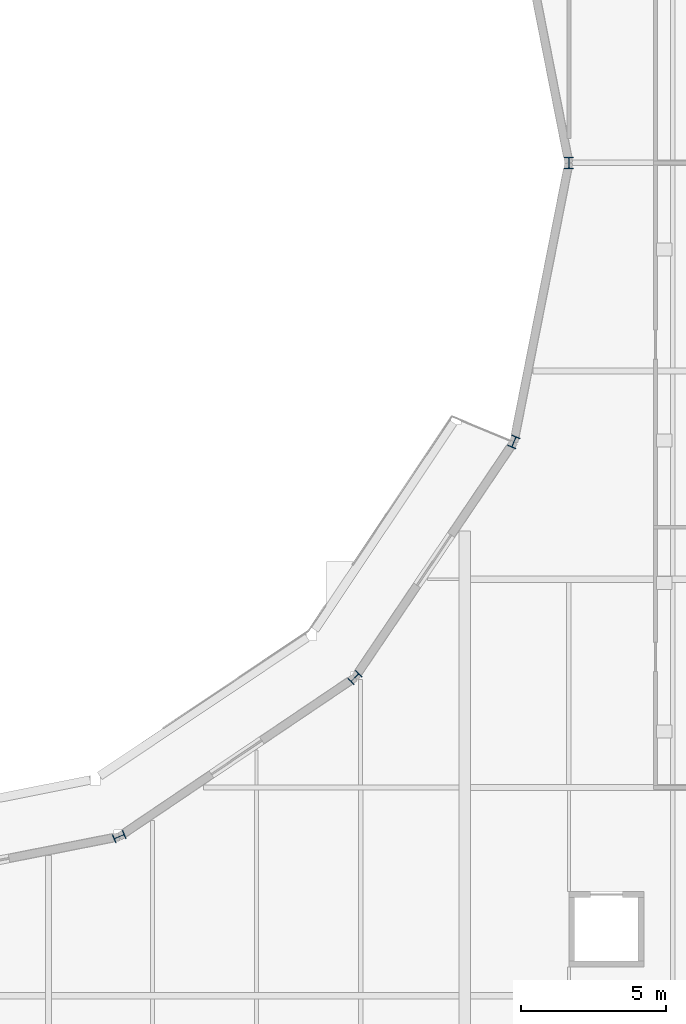
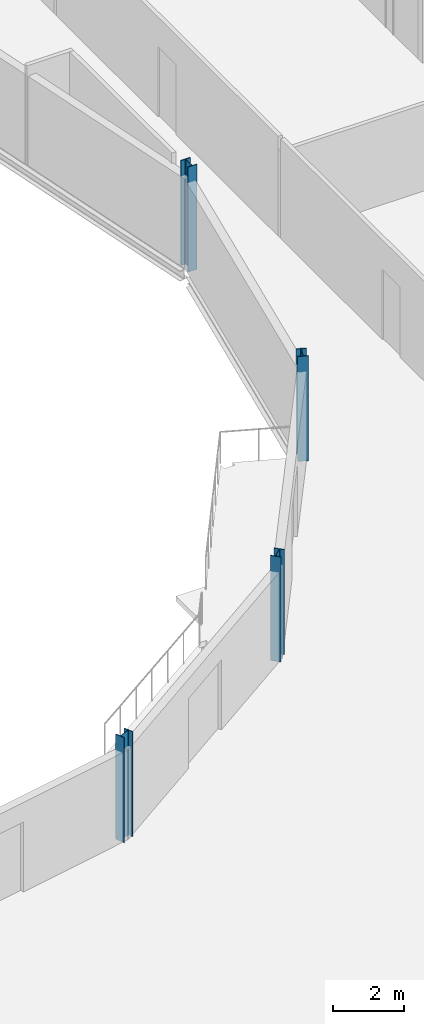
# One storey, part 4 of 142: 4 columns.
"""IFC4 building model written with IfcOpenShell, lengths in metres."""

from ifc_helpers import new_model, si_unit, direction, frame, origin, origin_2d, place, context, subcontext, project, spatial, i_section, extrude, material, material_profile, profile_set, type_object, element, save


model = new_model("IFC4")

# Units and contexts
model_context = context("Model", 3, precision=1e-05, world=origin(), true_north=direction((0.0, 1.0)))
body_context = subcontext(model_context, "Body", "Model", "MODEL_VIEW")
ifc_project = project(units=[si_unit("LENGTHUNIT", "METRE"), si_unit("AREAUNIT", "SQUARE_METRE"), si_unit("VOLUMEUNIT", "CUBIC_METRE"), si_unit("PLANEANGLEUNIT", "RADIAN"), si_unit("MASSUNIT", "GRAM", prefix="KILO")], contexts=[model_context])

# Site, building, storey
site_placement = place(None, origin())
site = spatial("IfcSite", under=ifc_project, at=site_placement, CompositionType="ELEMENT")
building_placement = place(site_placement, origin())
building = spatial("IfcBuilding", under=site, at=building_placement, Name="Kupolbacken Congress Centre", CompositionType="ELEMENT")
storey_placement = place(building_placement, frame((0.0, 0.0, 14.39990234375)))
storey = spatial("IfcBuildingStorey", under=building, at=storey_placement, Name="L04", CompositionType="ELEMENT", Elevation=14.39990234375)

# Columns
ifc_material = material(Name="Steel S355", Category="steel")
ifc_material_profile = material_profile(ifc_material, i_section(OverallWidth=0.300048828125, OverallDepth=0.39990234375, WebThickness=0.013427734375, FlangeThickness=0.02392578125, FilletRadius=0.027099609375, at=origin_2d()), Name="HEB 400")
ifc_profile_set = profile_set([ifc_material_profile], Name="Steel S355")
column_type = type_object("IfcColumnType", Name="C08 column HEB 400", PredefinedType="COLUMN", material=ifc_profile_set)
for number, where, z_axis, x_axis, name in (
    (1, (68.39990234375, 86.39990234375, 0.0), (0.0, 0.0, 1.0), (1.0, 0.0, 0.0), "S/col/C-D01/L04"),
    (2, (52.85009765625, 63.10009765625, 0.0), (0.0, 0.0, 1.0), (0.382643629864, -0.923896018243, 0.0), "S/col/C-D14/L04"),
    (3, (61.0, 68.60009765625, 0.0), (0.0, 0.0, 1.0), (0.707106781187, -0.707106781187, 0.0), "S/col/C-D15/L04"),
    (4, (66.5, 76.75, 0.0), (0.0, 0.0, 1.0), (0.923896018243, -0.382643629864, 0.0), "S/col/C-D16/L04"),
):
    element("IfcColumn", number, at=place(storey_placement, frame(where, z_axis=z_axis, x_axis=x_axis)), inside=storey, type_object=column_type, Name=name, PredefinedType="COLUMN", context=body_context, shape_type="SweptSolid", body=[
        extrude(i_section(OverallWidth=0.300048828125, OverallDepth=0.39990234375, WebThickness=0.013427734375, FlangeThickness=0.02392578125, FilletRadius=0.027099609375, at=origin_2d()), origin(), (0.0, 0.0, 1.0), 3.60009765625),
    ])

save(model, "model.ifc")
